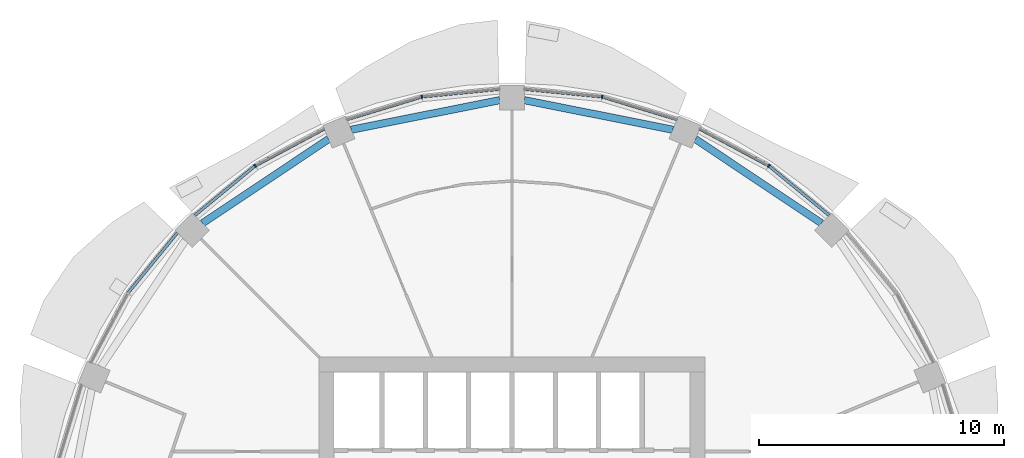
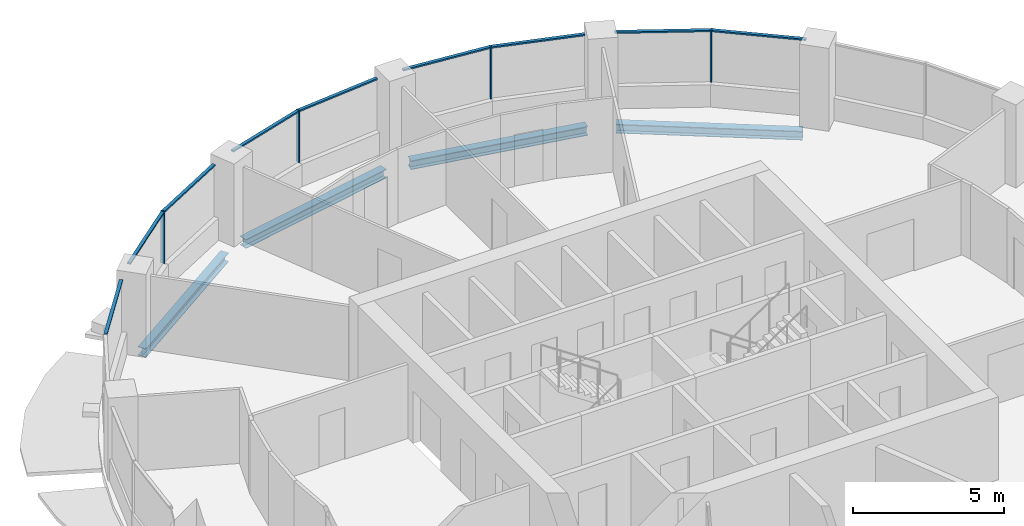
# One storey, part 6 of 15: 13 members, 4 beams, 5 elements without a shape of their own.
"""IFC4 building model written with IfcOpenShell, lengths in metres."""

import ifcopenshell
import ifcopenshell.guid

model = None  # the IFC model being written
_history = None  # IfcOwnerHistory: only IFC2X3 demands one
_inside = {}  # id of a spatial element -> (the spatial element, [elements in it])
_under = {}  # id of a project, library or spatial element -> (it, [spatial elements below it])
_declared = {}  # id of a project -> (the project, [libraries it declares])
_typed = {}  # id of a type object -> (the type object, [elements of that type])
_made_of = {}  # id of a material, layer set ... -> (it, [elements and type objects made of it])


def new_model(schema):
    """Start an empty IFC model of exactly this schema.

    Asked for "IFC4X3", IfcOpenShell would pick the latest addendum, in which some entities
    have other attributes; the version numbers below select the first issue.
    IFC2X3 requires an IfcOwnerHistory on every rooted entity: one is made here for all.
    """
    global model, _history
    if schema == "IFC4X3":
        model = ifcopenshell.file(schema_version=(4, 3, 0, 0))
    else:
        model = ifcopenshell.file(schema=schema)
    _inside.clear()
    _under.clear()
    _declared.clear()
    _typed.clear()
    _made_of.clear()
    _history = None
    if model.schema == "IFC2X3":
        org = make("IfcOrganization", Name="unknown")
        user = make(
            "IfcPersonAndOrganization",
            ThePerson=make("IfcPerson", FamilyName="unknown"),
            TheOrganization=org,
        )
        app = make(
            "IfcApplication",
            ApplicationDeveloper=org,
            Version="unknown",
            ApplicationFullName="unknown",
            ApplicationIdentifier="unknown",
        )
        _history = make(
            "IfcOwnerHistory",
            OwningUser=user,
            OwningApplication=app,
            ChangeAction="ADDED",
            CreationDate=0,
        )
    return model


def make(cls, **values):
    """One entity of the class cls with the attributes given. An attribute that is None is left unset."""
    return model.create_entity(
        cls, **{name: value for name, value in values.items() if value is not None}
    )


def rooted(cls, **values):
    """An entity with a GlobalId (a new one), such as an element, a storey or a relation."""
    return make(cls, GlobalId=ifcopenshell.guid.new(), OwnerHistory=_history, **values)


def si_unit(unit_type, name, prefix=None):
    """IfcSIUnit, for example si_unit("LENGTHUNIT", "METRE", prefix="MILLI")."""
    return make("IfcSIUnit", UnitType=unit_type, Prefix=prefix, Name=name)


def assignment(units):
    """IfcUnitAssignment: the units of a project."""
    return None if units is None else make("IfcUnitAssignment", Units=units)


def point(xyz):
    """IfcCartesianPoint."""
    return None if xyz is None else make("IfcCartesianPoint", Coordinates=xyz)


def direction(xyz):
    """IfcDirection."""
    return None if xyz is None else make("IfcDirection", DirectionRatios=xyz)


def frame(location, z_axis=None, x_axis=None):
    """IfcAxis2Placement3D, a coordinate frame: its origin and axes. An axis left out is left unset."""
    return make(
        "IfcAxis2Placement3D",
        Location=point(location),
        Axis=direction(z_axis),
        RefDirection=direction(x_axis),
    )


def frame_2d(location, x_axis=None):
    """IfcAxis2Placement2D, a coordinate frame in the plane: its origin and x axis."""
    return make(
        "IfcAxis2Placement2D", Location=point(location), RefDirection=direction(x_axis)
    )


def origin():
    """The frame at (0, 0, 0) with its axes left unset."""
    return frame((0.0, 0.0, 0.0))


def origin_2d():
    """The frame at (0, 0) in the plane with its x axis left unset."""
    return frame_2d((0.0, 0.0))


def place(relative_to, where):
    """IfcLocalPlacement: puts the frame where relative to a parent placement (None: the world)."""
    return make(
        "IfcLocalPlacement", PlacementRelTo=relative_to, RelativePlacement=where
    )


def context(
    kind, dimensions, precision=None, world=None, true_north=None, identifier=None
):
    """IfcGeometricRepresentationContext, for example the 3D "Model" context."""
    return make(
        "IfcGeometricRepresentationContext",
        ContextIdentifier=identifier,
        ContextType=kind,
        CoordinateSpaceDimension=dimensions,
        Precision=precision,
        WorldCoordinateSystem=world,
        TrueNorth=true_north,
    )


def subcontext(parent, identifier, kind, view, scale=None):
    """IfcGeometricRepresentationSubContext, for example "Body" below "Model"."""
    return make(
        "IfcGeometricRepresentationSubContext",
        ContextIdentifier=identifier,
        ContextType=kind,
        ParentContext=parent,
        TargetScale=scale,
        TargetView=view,
    )


def project(units=None, contexts=None):
    """IfcProject with its units and contexts."""
    return rooted(
        "IfcProject",
        Name="project",
        RepresentationContexts=contexts,
        UnitsInContext=assignment(units),
    )


def spatial(cls, under=None, at=None, **own):
    """A site, building, storey or space (cls), placed at a placement, below another one or the project."""
    s = rooted(cls, ObjectPlacement=at, **own)
    if under is not None:
        _under.setdefault(under.id(), (under, []))[1].append(s)
    return s


def profile(cls, at=None, kind="AREA", **sizes):
    """A parametric profile (cls). Its sizes go by their IFC names, for example OverallWidth=200.0."""
    return make(cls, ProfileType=kind, Position=at, **sizes)


def rectangle(**sizes):
    """IfcRectangleProfileDef."""
    return profile("IfcRectangleProfileDef", **sizes)


def i_section(**sizes):
    """IfcIShapeProfileDef."""
    return profile("IfcIShapeProfileDef", **sizes)


def extrude(swept, where, along, depth):
    """IfcExtrudedAreaSolid: the profile swept, set in the frame where, extruded along a direction by depth."""
    return make(
        "IfcExtrudedAreaSolid",
        SweptArea=swept,
        Position=where,
        ExtrudedDirection=direction(along),
        Depth=depth,
    )


def shape(context_of_items, identifier, shape_type, items):
    """IfcShapeRepresentation: the items that make up one representation, for example the "Body"."""
    return make(
        "IfcShapeRepresentation",
        ContextOfItems=context_of_items,
        RepresentationIdentifier=identifier,
        RepresentationType=shape_type,
        Items=items,
    )


def material(Name=None, Category=None):
    """IfcMaterial."""
    return make("IfcMaterial", Name=Name, Category=Category)


def material_profile(
    of_material, cross_section, Name=None, Category=None, Priority=None
):
    """IfcMaterialProfile: a cross section and its material."""
    return make(
        "IfcMaterialProfile",
        Name=Name,
        Material=of_material,
        Profile=cross_section,
        Priority=Priority,
        Category=Category,
    )


def profile_set(profiles, Name=None, composite=None):
    """IfcMaterialProfileSet."""
    return make(
        "IfcMaterialProfileSet",
        Name=Name,
        MaterialProfiles=profiles,
        CompositeProfile=composite,
    )


def made_of(thing, what):
    """Note that an element or type object is made of a material, layer set ...; save() writes the relation."""
    if what is not None:
        _made_of.setdefault(what.id(), (what, []))[1].append(thing)
    return thing


def type_object(cls, material=None, **own):
    """A type object (cls), such as IfcWallType, which elements share."""
    return made_of(rooted(cls, **own), material)


def element(
    cls,
    number,
    at=None,
    inside=None,
    cuts=None,
    type_object=None,
    material=None,
    context=None,
    identifier="Body",
    shape_type=None,
    held_by="IfcProductDefinitionShape",
    body=None,
    shapes=None,
    **own,
):
    """One element of the class cls, such as IfcWall. Its Tag is "e" and its number.

    at: its placement. inside: the storey or other place that contains it. cuts: it is an
    opening in that element (IfcRelVoidsElement). A single representation is given by context,
    identifier, shape_type and body (its items); several are given by shapes. held_by: the class
    of the entity that holds the representations. save() writes the other relations.
    """
    e = rooted(cls, Tag="e%d" % number, ObjectPlacement=at, **own)
    if body is not None:
        shapes = [shape(context, identifier, shape_type, body)]
    if shapes is not None:
        e.Representation = make(held_by, Representations=shapes)
    if inside is not None:
        _inside.setdefault(inside.id(), (inside, []))[1].append(e)
    if cuts is not None:
        rooted(
            "IfcRelVoidsElement", RelatingBuildingElement=cuts, RelatedOpeningElement=e
        )
    if type_object is not None:
        _typed.setdefault(type_object.id(), (type_object, []))[1].append(e)
    return made_of(e, material)


def aggregate(whole, parts):
    """IfcRelAggregates: a whole, such as a stair, and the parts it consists of."""
    return rooted("IfcRelAggregates", RelatingObject=whole, RelatedObjects=parts)


def save(model, path):
    """Write the relations noted so far, then the file.

    IfcRelAggregates (storeys below a building ...), IfcRelContainedInSpatialStructure (elements
    in a storey), IfcRelDefinesByType, IfcRelAssociatesMaterial and IfcRelDeclares: one each for
    every whole, place, type object, material and project.
    """
    for whole, parts in _under.values():
        aggregate(whole, parts)
    for where, things in _inside.values():
        rooted(
            "IfcRelContainedInSpatialStructure",
            RelatedElements=things,
            RelatingStructure=where,
        )
    for kind, things in _typed.values():
        rooted("IfcRelDefinesByType", RelatedObjects=things, RelatingType=kind)
    for what, things in _made_of.values():
        rooted("IfcRelAssociatesMaterial", RelatedObjects=things, RelatingMaterial=what)
    for by, libraries in _declared.values():
        rooted("IfcRelDeclares", RelatingContext=by, RelatedDefinitions=libraries)
    model.write(path)


model = new_model("IFC4")

# Units and contexts
model_context = context("Model", 3, precision=1e-05, world=origin(), true_north=direction((0.0, 1.0)))
body_context = subcontext(model_context, "Body", "Model", "MODEL_VIEW")
ifc_project = project(units=[si_unit("LENGTHUNIT", "METRE"), si_unit("AREAUNIT", "SQUARE_METRE"), si_unit("VOLUMEUNIT", "CUBIC_METRE"), si_unit("PLANEANGLEUNIT", "RADIAN"), si_unit("MASSUNIT", "GRAM", prefix="KILO")], contexts=[model_context])

# Site, building, storey
site_placement = place(None, origin())
site = spatial("IfcSite", under=ifc_project, at=site_placement, CompositionType="ELEMENT")
building_placement = place(site_placement, origin())
building = spatial("IfcBuilding", under=site, at=building_placement, Name="Polderwave Tower", CompositionType="ELEMENT")
storey_placement = place(building_placement, frame((0.0, 0.0, 127.64990234375)))
storey = spatial("IfcBuildingStorey", under=building, at=storey_placement, Name="L33", CompositionType="ELEMENT", Elevation=127.64990234375)

# Curtain wall, member
ifc_material_1 = material(Name="Aluminium 6063-T6 and glass", Category="aluminium")
curtain_wall_type = type_object("IfcCurtainWallType", Name="Office ribbon glazing wall", PredefinedType="NOTDEFINED", material=ifc_material_1)
curtain_wall_1_placement = place(storey_placement, origin())
curtain_wall_1 = element("IfcCurtainWall", 1, at=curtain_wall_1_placement, inside=storey, type_object=curtain_wall_type, Name="CW3 L33 02", PredefinedType="NOTDEFINED")
ifc_material_2 = material(Name="Aluminium 6063-T6", Category="aluminium")
ifc_material_profile_1 = material_profile(ifc_material_2, rectangle(XDim=0.139892578125, YDim=0.054931640625, at=origin_2d()), Name="AL 55x140")
ifc_profile_set_1 = profile_set([ifc_material_profile_1], Name="Aluminium 6063-T6")
member_type_1 = type_object("IfcMemberType", Name="Office ribbon glazing mullion 55x140", PredefinedType="MULLION", material=ifc_profile_set_1)
member_1_placement = place(storey_placement, frame((10.47802734375, 15.681884765625, 0.900146484375), z_axis=(0.0, 0.0, 1.0), x_axis=(-0.555594902975, -0.831453127836, 0.0)))
member_1 = element("IfcMember", 2, at=member_1_placement, type_object=member_type_1, Name="CW3 mullion 1", PredefinedType="MULLION", context=body_context, shape_type="SweptSolid", body=[
    extrude(rectangle(XDim=0.139892578125, YDim=0.054931640625, at=origin_2d()), origin(), (0.0, 0.0, 1.0), 2.099853515625),
])

curtain_wall_2_placement = place(storey_placement, origin())
curtain_wall_2 = element("IfcCurtainWall", 3, at=curtain_wall_2_placement, inside=storey, type_object=curtain_wall_type, Name="CW3 L33 03", PredefinedType="NOTDEFINED")
member_2_placement = place(storey_placement, frame((3.678955078125, 18.498046875, 0.900146484375), z_axis=(0.0, 0.0, 1.0), x_axis=(-0.195127981324, -0.98077778875, 0.0)))
member_2 = element("IfcMember", 4, at=member_2_placement, type_object=member_type_1, Name="CW3 mullion 1", PredefinedType="MULLION", context=body_context, shape_type="SweptSolid", body=[
    extrude(rectangle(XDim=0.139892578125, YDim=0.054931640625, at=origin_2d()), origin(), (0.0, 0.0, 1.0), 2.099853515625),
])

curtain_wall_3_placement = place(storey_placement, origin())
curtain_wall_3 = element("IfcCurtainWall", 5, at=curtain_wall_3_placement, inside=storey, type_object=curtain_wall_type, Name="CW3 L33 04", PredefinedType="NOTDEFINED")
member_3_placement = place(storey_placement, frame((-3.678955078125, 18.498046875, 0.900146484375), z_axis=(0.0, 0.0, 1.0), x_axis=(0.195127981324, -0.98077778875, 0.0)))
member_3 = element("IfcMember", 6, at=member_3_placement, type_object=member_type_1, Name="CW3 mullion 1", PredefinedType="MULLION", context=body_context, shape_type="SweptSolid", body=[
    extrude(rectangle(XDim=0.139892578125, YDim=0.054931640625, at=origin_2d()), origin(), (0.0, 0.0, 1.0), 2.099853515625),
])

curtain_wall_4_placement = place(storey_placement, origin())
curtain_wall_4 = element("IfcCurtainWall", 7, at=curtain_wall_4_placement, inside=storey, type_object=curtain_wall_type, Name="CW3 L33 05", PredefinedType="NOTDEFINED")
member_4_placement = place(storey_placement, frame((-10.47802734375, 15.681884765625, 0.900146484375), z_axis=(0.0, 0.0, 1.0), x_axis=(0.555594902975, -0.831453127836, 0.0)))
member_4 = element("IfcMember", 8, at=member_4_placement, type_object=member_type_1, Name="CW3 mullion 1", PredefinedType="MULLION", context=body_context, shape_type="SweptSolid", body=[
    extrude(rectangle(XDim=0.139892578125, YDim=0.054931640625, at=origin_2d()), origin(), (0.0, 0.0, 1.0), 2.099853515625),
])

# Member
ifc_material_profile_2 = material_profile(ifc_material_2, rectangle(XDim=0.1201171875, YDim=0.06005859375, at=origin_2d()), Name="AL 60x120")
ifc_profile_set_2 = profile_set([ifc_material_profile_2], Name="Aluminium 6063-T6")
member_type_2 = type_object("IfcMemberType", Name="Office ribbon glazing transom 60x120", PredefinedType="USERDEFINED", material=ifc_profile_set_2)
member_5_placement = place(storey_placement, frame((12.947998046875, 13.655029296875, 2.97021484375), z_axis=(-0.773025883871, 0.634374481569, 0.0), x_axis=(-0.634374481569, -0.773025883871, 0.0)))
member_5 = element("IfcMember", 9, at=member_5_placement, type_object=member_type_2, Name="CW3 transom 1", ObjectType="TRANSOM", PredefinedType="USERDEFINED", context=body_context, shape_type="SweptSolid", body=[
    extrude(rectangle(XDim=0.1201171875, YDim=0.06005859375, at=origin_2d()), origin(), (0.0, 0.0, 1.0), 3.167724609375),
])

member_6_placement = place(storey_placement, frame((10.45361328125, 15.695068359375, 2.97021484375), z_axis=(-0.881897958208, 0.471440336956, 0.0), x_axis=(-0.471440336956, -0.881897958208, 0.0)))
member_6 = element("IfcMember", 10, at=member_6_placement, type_object=member_type_2, Name="CW3 transom 2", ObjectType="TRANSOM", PredefinedType="USERDEFINED", context=body_context, shape_type="SweptSolid", body=[
    extrude(rectangle(XDim=0.1201171875, YDim=0.06005859375, at=origin_2d()), origin(), (0.0, 0.0, 1.0), 3.166748046875),
])

aggregate(curtain_wall_1, [member_1, member_5, member_6])

member_7_placement = place(storey_placement, frame((6.737060546875, 17.570068359375, 2.97021484375), z_axis=(-0.95691805195, 0.290358126892, 0.0), x_axis=(-0.290358126892, -0.95691805195, 0.0)))
member_7 = element("IfcMember", 11, at=member_7_placement, type_object=member_type_2, Name="CW3 transom 1", ObjectType="TRANSOM", PredefinedType="USERDEFINED", context=body_context, shape_type="SweptSolid", body=[
    extrude(rectangle(XDim=0.1201171875, YDim=0.06005859375, at=origin_2d()), origin(), (0.0, 0.0, 1.0), 3.168212890625),
])

member_8_placement = place(storey_placement, frame((3.651611328125, 18.500732421875, 2.97021484375), z_axis=(-0.9951879261, 0.09798465056, 0.0), x_axis=(-0.09798465056, -0.9951879261, 0.0)))
member_8 = element("IfcMember", 12, at=member_8_placement, type_object=member_type_2, Name="CW3 transom 2", ObjectType="TRANSOM", PredefinedType="USERDEFINED", context=body_context, shape_type="SweptSolid", body=[
    extrude(rectangle(XDim=0.1201171875, YDim=0.06005859375, at=origin_2d()), origin(), (0.0, 0.0, 1.0), 3.166748046875),
])

aggregate(curtain_wall_2, [member_2, member_7, member_8])

member_9_placement = place(storey_placement, frame((-0.5, 18.81103515625, 2.97021484375), z_axis=(-0.9951879261, -0.09798465056, 0.0), x_axis=(0.09798465056, -0.9951879261, 0.0)))
member_9 = element("IfcMember", 13, at=member_9_placement, type_object=member_type_2, Name="CW3 transom 1", ObjectType="TRANSOM", PredefinedType="USERDEFINED", context=body_context, shape_type="SweptSolid", body=[
    extrude(rectangle(XDim=0.1201171875, YDim=0.06005859375, at=origin_2d()), origin(), (0.0, 0.0, 1.0), 3.166748046875),
])

member_10_placement = place(storey_placement, frame((-3.705322265625, 18.489990234375, 2.97021484375), z_axis=(-0.95691805195, -0.290358126892, 0.0), x_axis=(0.290358126892, -0.95691805195, 0.0)))
member_10 = element("IfcMember", 14, at=member_10_placement, type_object=member_type_2, Name="CW3 transom 2", ObjectType="TRANSOM", PredefinedType="USERDEFINED", context=body_context, shape_type="SweptSolid", body=[
    extrude(rectangle(XDim=0.1201171875, YDim=0.06005859375, at=origin_2d()), origin(), (0.0, 0.0, 1.0), 3.168212890625),
])

aggregate(curtain_wall_3, [member_3, member_9, member_10])

member_11_placement = place(storey_placement, frame((-7.660888671875, 17.18798828125, 2.97021484375), z_axis=(-0.881897958208, -0.471440336956, 0.0), x_axis=(0.471440336956, -0.881897958208, 0.0)))
member_11 = element("IfcMember", 15, at=member_11_placement, type_object=member_type_2, Name="CW3 transom 1", ObjectType="TRANSOM", PredefinedType="USERDEFINED", context=body_context, shape_type="SweptSolid", body=[
    extrude(rectangle(XDim=0.1201171875, YDim=0.06005859375, at=origin_2d()), origin(), (0.0, 0.0, 1.0), 3.166748046875),
])

member_12_placement = place(storey_placement, frame((-10.499267578125, 15.66455078125, 2.97021484375), z_axis=(-0.773025883871, -0.634374481569, 0.0), x_axis=(0.634374481569, -0.773025883871, 0.0)))
member_12 = element("IfcMember", 16, at=member_12_placement, type_object=member_type_2, Name="CW3 transom 2", ObjectType="TRANSOM", PredefinedType="USERDEFINED", context=body_context, shape_type="SweptSolid", body=[
    extrude(rectangle(XDim=0.1201171875, YDim=0.06005859375, at=origin_2d()), origin(), (0.0, 0.0, 1.0), 3.167724609375),
])

aggregate(curtain_wall_4, [member_4, member_11, member_12])

# Curtain wall, member
curtain_wall_5_placement = place(storey_placement, origin())
curtain_wall_5 = element("IfcCurtainWall", 17, at=curtain_wall_5_placement, inside=storey, type_object=curtain_wall_type, Name="CW3 L33 06", PredefinedType="NOTDEFINED")
member_13_placement = place(storey_placement, frame((-13.655029296875, 12.947998046875, 2.97021484375), z_axis=(-0.634374481569, -0.773025883871, 0.0), x_axis=(0.773025883871, -0.634374481569, 0.0)))
member_13 = element("IfcMember", 18, at=member_13_placement, type_object=member_type_2, Name="CW3 transom 1", ObjectType="TRANSOM", PredefinedType="USERDEFINED", context=body_context, shape_type="SweptSolid", body=[
    extrude(rectangle(XDim=0.1201171875, YDim=0.06005859375, at=origin_2d()), origin(), (0.0, 0.0, 1.0), 3.167724609375),
])
aggregate(curtain_wall_5, [member_13])

# Beams
ifc_material_3 = material(Name="Steel S355", Category="steel")
ifc_material_profile_3 = material_profile(ifc_material_3, i_section(OverallWidth=0.300048828125, OverallDepth=0.360107421875, WebThickness=0.012451171875, FlangeThickness=0.0224609375, at=origin_2d()), Name="HE 360 B")
ifc_profile_set_3 = profile_set([ifc_material_profile_3], Name="Steel S355")
beam_type = type_object("IfcBeamType", Name="RING BEAM HE 360 B", PredefinedType="BEAM", material=ifc_profile_set_3)
beam_1_placement = place(storey_placement, frame((12.62939453125, 13.33642578125, -0.52978515625), z_axis=(-0.831478837086, 0.555556426907, 0.0), x_axis=(-0.555556426907, -0.831478837086, 0.0)))
element("IfcBeam", 19, at=beam_1_placement, inside=storey, type_object=beam_type, Name="ST-RB-L33-02", PredefinedType="BEAM", context=body_context, shape_type="SweptSolid", body=[
    extrude(i_section(OverallWidth=0.300048828125, OverallDepth=0.360107421875, WebThickness=0.012451171875, FlangeThickness=0.0224609375, at=origin_2d()), origin(), (0.0, 0.0, 1.0), 6.18310546875),
])
for number, where, z_axis, x_axis, name in (
    (20, (6.564453125, 17.154296875, -0.52978515625), (-0.980785153523, 0.195090959886, 0.0), (-0.195090959886, -0.980785153523, 0.0), "ST-RB-L33-03"),
    (21, (-0.5, 18.360595703125, -0.52978515625), (-0.980785153523, -0.195090959886, 0.0), (0.195090959886, -0.980785153523, 0.0), "ST-RB-L33-04"),
):
    element("IfcBeam", number, at=place(storey_placement, frame(where, z_axis=z_axis, x_axis=x_axis)), inside=storey, type_object=beam_type, Name=name, PredefinedType="BEAM", context=body_context, shape_type="SweptSolid", body=[
        extrude(i_section(OverallWidth=0.300048828125, OverallDepth=0.360107421875, WebThickness=0.012451171875, FlangeThickness=0.0224609375, at=origin_2d()), origin(), (0.0, 0.0, 1.0), 6.183349609375),
    ])
beam_2_placement = place(storey_placement, frame((-7.48828125, 16.771484375, -0.52978515625), z_axis=(-0.831478837086, -0.555556426907, 0.0), x_axis=(0.555556426907, -0.831478837086, 0.0)))
element("IfcBeam", 22, at=beam_2_placement, inside=storey, type_object=beam_type, Name="ST-RB-L33-05", PredefinedType="BEAM", context=body_context, shape_type="SweptSolid", body=[
    extrude(i_section(OverallWidth=0.300048828125, OverallDepth=0.360107421875, WebThickness=0.012451171875, FlangeThickness=0.0224609375, at=origin_2d()), origin(), (0.0, 0.0, 1.0), 6.18310546875),
])

save(model, "model.ifc")
